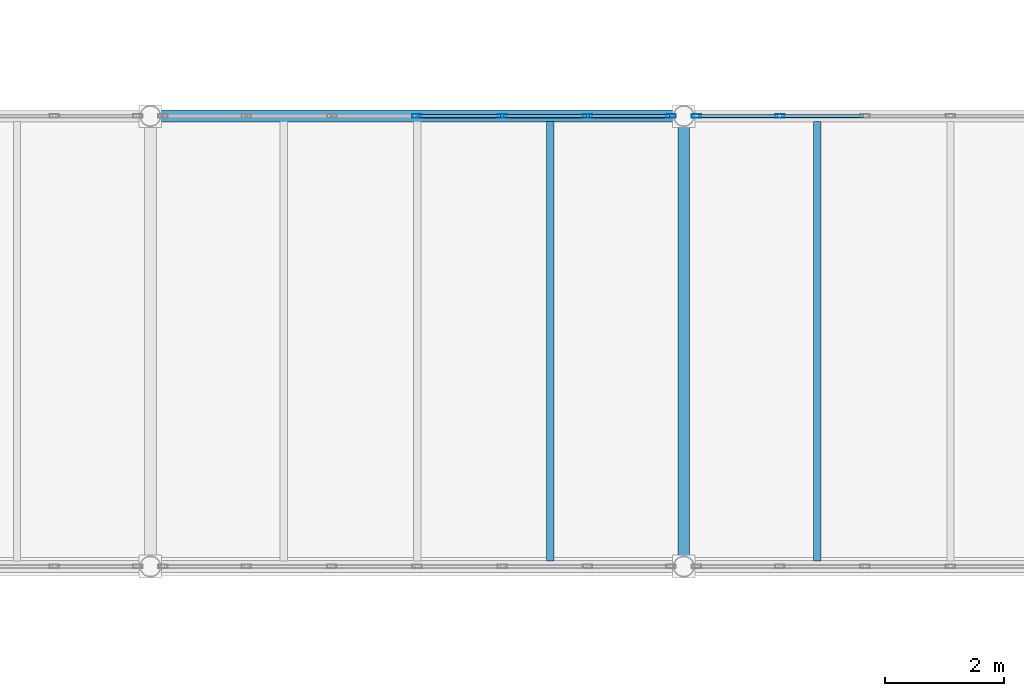
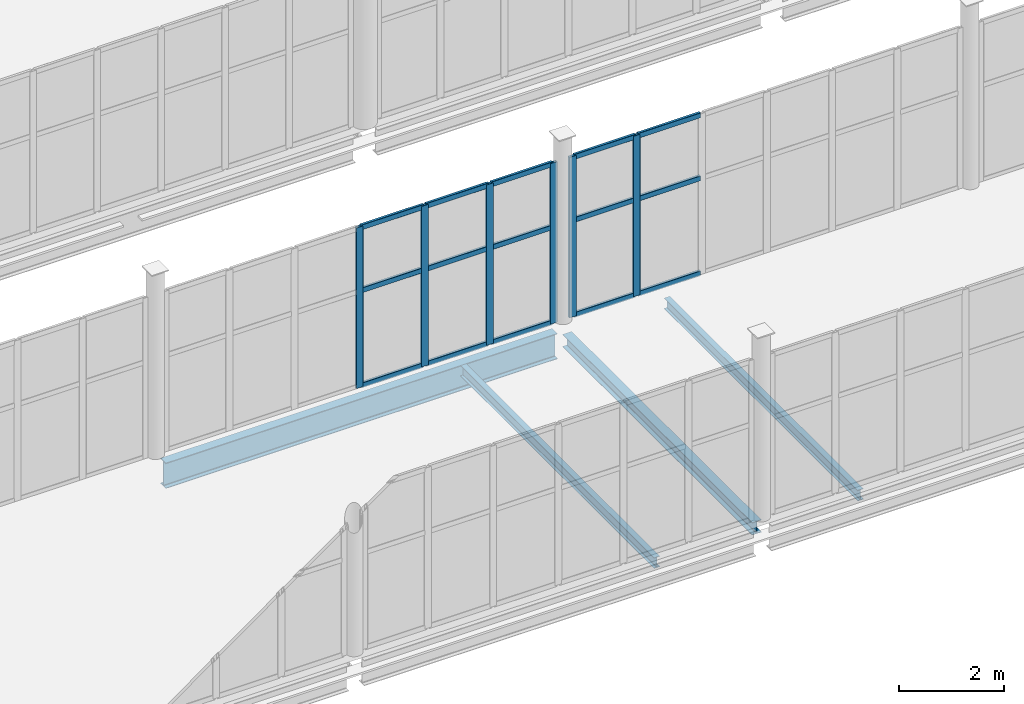
# One storey, part 104 of 172: 21 members, 4 beams, 2 elements without a shape of their own.
"""IFC4 building model written with IfcOpenShell, lengths in metres."""

from ifc_helpers import new_model, si_unit, direction, frame, origin, origin_2d, place, context, subcontext, project, spatial, hollow_rectangle, i_section, extrude, material, material_profile, profile_set, type_object, element, aggregate, save


model = new_model("IFC4")

# Units and contexts
model_context = context("Model", 3, precision=1e-05, world=origin(), true_north=direction((0.0, 1.0)))
body_context = subcontext(model_context, "Body", "Model", "MODEL_VIEW")
ifc_project = project(units=[si_unit("LENGTHUNIT", "METRE"), si_unit("AREAUNIT", "SQUARE_METRE"), si_unit("VOLUMEUNIT", "CUBIC_METRE"), si_unit("PLANEANGLEUNIT", "RADIAN"), si_unit("MASSUNIT", "GRAM", prefix="KILO")], contexts=[model_context])

# Site, building, storey
site_placement = place(None, origin())
site = spatial("IfcSite", under=ifc_project, at=site_placement, CompositionType="ELEMENT")
building_placement = place(site_placement, origin())
building = spatial("IfcBuilding", under=site, at=building_placement, Name="Shengluoqiao Park Theatre", CompositionType="ELEMENT")
storey_placement = place(building_placement, frame((0.0, 0.0, 5.39990234375)))
storey = spatial("IfcBuildingStorey", under=building, at=storey_placement, Name="L01", CompositionType="ELEMENT", Elevation=5.39990234375)

# Curtain wall, members
ifc_material_1 = material(Name="Aluminium 6063-T6", Category="aluminium")
curtain_wall_type = type_object("IfcCurtainWallType", Name="ENV-CW-BRIDGE", PredefinedType="NOTDEFINED", material=ifc_material_1)
curtain_wall_1_placement = place(storey_placement, origin())
curtain_wall_1 = element("IfcCurtainWall", 1, at=curtain_wall_1_placement, inside=storey, type_object=curtain_wall_type, Name="L01 Curtain Wall CWX-L01-0146", PredefinedType="NOTDEFINED")
ifc_material_profile_1 = material_profile(ifc_material_1, hollow_rectangle(XDim=0.06005859375, YDim=0.159912109375, WallThickness=0.00390625, InnerFilletRadius=0.00390625, OuterFilletRadius=0.008056640625, at=origin_2d()), Name="ALU MULLION 160x60x4")
ifc_profile_set_1 = profile_set([ifc_material_profile_1], Name="Aluminium 6063-T6")
member_type_1 = type_object("IfcMemberType", Name="ENV-MUL-160", PredefinedType="MULLION", material=ifc_profile_set_1)
member_1_placement = place(storey_placement, frame((134.89990234375, 60.800048828125, 0.0), z_axis=(0.0, 0.0, 1.0), x_axis=(0.0, 1.0, 0.0)))
member_1 = element("IfcMember", 2, at=member_1_placement, type_object=member_type_1, Name="CW-03 mullion 4", PredefinedType="MULLION", context=body_context, shape_type="SweptSolid", body=[
    extrude(hollow_rectangle(XDim=0.06005859375, YDim=0.159912109375, WallThickness=0.00390625, InnerFilletRadius=0.00390625, OuterFilletRadius=0.008056640625, at=origin_2d()), origin(), (0.0, 0.0, 1.0), 3.752197265625),
])
member_2_placement = place(storey_placement, frame((136.33935546875, 60.800048828125, 0.0), z_axis=(0.0, 0.0, 1.0), x_axis=(0.0, 1.0, 0.0)))
member_2 = element("IfcMember", 3, at=member_2_placement, type_object=member_type_1, Name="CW-03 mullion 5", PredefinedType="MULLION", context=body_context, shape_type="SweptSolid", body=[
    extrude(hollow_rectangle(XDim=0.06005859375, YDim=0.159912109375, WallThickness=0.00390625, InnerFilletRadius=0.00390625, OuterFilletRadius=0.008056640625, at=origin_2d()), origin(), (0.0, 0.0, 1.0), 3.752197265625),
])
member_3_placement = place(storey_placement, frame((137.778564453125, 60.800048828125, 0.0), z_axis=(0.0, 0.0, 1.0), x_axis=(0.0, 1.0, 0.0)))
member_3 = element("IfcMember", 4, at=member_3_placement, type_object=member_type_1, Name="CW-03 mullion 6", PredefinedType="MULLION", context=body_context, shape_type="SweptSolid", body=[
    extrude(hollow_rectangle(XDim=0.06005859375, YDim=0.159912109375, WallThickness=0.00390625, InnerFilletRadius=0.00390625, OuterFilletRadius=0.008056640625, at=origin_2d()), origin(), (0.0, 0.0, 1.0), 3.752197265625),
])
member_4_placement = place(storey_placement, frame((139.18798828125, 60.800048828125, 0.0), z_axis=(0.0, 0.0, 1.0), x_axis=(0.0, 1.0, 0.0)))
member_4 = element("IfcMember", 5, at=member_4_placement, type_object=member_type_1, Name="CW-03 mullion 7", PredefinedType="MULLION", context=body_context, shape_type="SweptSolid", body=[
    extrude(hollow_rectangle(XDim=0.06005859375, YDim=0.159912109375, WallThickness=0.00390625, InnerFilletRadius=0.00390625, OuterFilletRadius=0.008056640625, at=origin_2d()), origin(), (0.0, 0.0, 1.0), 3.752197265625),
])

curtain_wall_2_placement = place(storey_placement, origin())
curtain_wall_2 = element("IfcCurtainWall", 6, at=curtain_wall_2_placement, inside=storey, type_object=curtain_wall_type, Name="L01 Curtain Wall CWX-L01-0147", PredefinedType="NOTDEFINED")
member_5_placement = place(storey_placement, frame((139.612060546875, 60.800048828125, 0.0), z_axis=(0.0, 0.0, 1.0), x_axis=(0.0, 1.0, 0.0)))
member_5 = element("IfcMember", 7, at=member_5_placement, type_object=member_type_1, Name="CW-03 mullion 1", PredefinedType="MULLION", context=body_context, shape_type="SweptSolid", body=[
    extrude(hollow_rectangle(XDim=0.06005859375, YDim=0.159912109375, WallThickness=0.00390625, InnerFilletRadius=0.00390625, OuterFilletRadius=0.008056640625, at=origin_2d()), origin(), (0.0, 0.0, 1.0), 3.752197265625),
])
member_6_placement = place(storey_placement, frame((141.021240234375, 60.800048828125, 0.0), z_axis=(0.0, 0.0, 1.0), x_axis=(0.0, 1.0, 0.0)))
member_6 = element("IfcMember", 8, at=member_6_placement, type_object=member_type_1, Name="CW-03 mullion 2", PredefinedType="MULLION", context=body_context, shape_type="SweptSolid", body=[
    extrude(hollow_rectangle(XDim=0.06005859375, YDim=0.159912109375, WallThickness=0.00390625, InnerFilletRadius=0.00390625, OuterFilletRadius=0.008056640625, at=origin_2d()), origin(), (0.0, 0.0, 1.0), 3.752197265625),
])

# Member
ifc_material_profile_2 = material_profile(ifc_material_1, hollow_rectangle(XDim=0.06005859375, YDim=0.1201171875, WallThickness=0.00390625, InnerFilletRadius=0.00390625, OuterFilletRadius=0.008056640625, at=origin_2d()), Name="ALU TRANSOM 120x60x4")
ifc_profile_set_2 = profile_set([ifc_material_profile_2], Name="Aluminium 6063-T6")
member_type_2 = type_object("IfcMemberType", Name="ENV-TRN-120", PredefinedType="USERDEFINED", material=ifc_profile_set_2)
member_7_placement = place(storey_placement, frame((134.929931640625, 60.800048828125, 0.030029296875), z_axis=(1.0, 0.0, 0.0), x_axis=(0.0, 1.0, 0.0)))
member_7 = element("IfcMember", 9, at=member_7_placement, type_object=member_type_2, Name="CW-03 transom 4.1", ObjectType="TRANSOM", PredefinedType="USERDEFINED", context=body_context, shape_type="SweptSolid", body=[
    extrude(hollow_rectangle(XDim=0.06005859375, YDim=0.1201171875, WallThickness=0.00390625, InnerFilletRadius=0.00390625, OuterFilletRadius=0.008056640625, at=origin_2d()), origin(), (0.0, 0.0, 1.0), 1.37939453125),
])

member_8_placement = place(storey_placement, frame((134.929931640625, 60.800048828125, 2.2509765625), z_axis=(1.0, 0.0, 0.0), x_axis=(0.0, 1.0, 0.0)))
member_8 = element("IfcMember", 10, at=member_8_placement, type_object=member_type_2, Name="CW-03 transom 4.2", ObjectType="TRANSOM", PredefinedType="USERDEFINED", context=body_context, shape_type="SweptSolid", body=[
    extrude(hollow_rectangle(XDim=0.06005859375, YDim=0.1201171875, WallThickness=0.00390625, InnerFilletRadius=0.00390625, OuterFilletRadius=0.008056640625, at=origin_2d()), origin(), (0.0, 0.0, 1.0), 1.37939453125),
])

member_9_placement = place(storey_placement, frame((134.929931640625, 60.800048828125, 3.72216796875), z_axis=(1.0, 0.0, 0.0), x_axis=(0.0, 1.0, 0.0)))
member_9 = element("IfcMember", 11, at=member_9_placement, type_object=member_type_2, Name="CW-03 transom 4.3", ObjectType="TRANSOM", PredefinedType="USERDEFINED", context=body_context, shape_type="SweptSolid", body=[
    extrude(hollow_rectangle(XDim=0.06005859375, YDim=0.1201171875, WallThickness=0.00390625, InnerFilletRadius=0.00390625, OuterFilletRadius=0.008056640625, at=origin_2d()), origin(), (0.0, 0.0, 1.0), 1.37939453125),
])

member_10_placement = place(storey_placement, frame((136.369384765625, 60.800048828125, 0.030029296875), z_axis=(1.0, 0.0, 0.0), x_axis=(0.0, 1.0, 0.0)))
member_10 = element("IfcMember", 12, at=member_10_placement, type_object=member_type_2, Name="CW-03 transom 5.1", ObjectType="TRANSOM", PredefinedType="USERDEFINED", context=body_context, shape_type="SweptSolid", body=[
    extrude(hollow_rectangle(XDim=0.06005859375, YDim=0.1201171875, WallThickness=0.00390625, InnerFilletRadius=0.00390625, OuterFilletRadius=0.008056640625, at=origin_2d()), origin(), (0.0, 0.0, 1.0), 1.37939453125),
])

member_11_placement = place(storey_placement, frame((136.369384765625, 60.800048828125, 2.2509765625), z_axis=(1.0, 0.0, 0.0), x_axis=(0.0, 1.0, 0.0)))
member_11 = element("IfcMember", 13, at=member_11_placement, type_object=member_type_2, Name="CW-03 transom 5.2", ObjectType="TRANSOM", PredefinedType="USERDEFINED", context=body_context, shape_type="SweptSolid", body=[
    extrude(hollow_rectangle(XDim=0.06005859375, YDim=0.1201171875, WallThickness=0.00390625, InnerFilletRadius=0.00390625, OuterFilletRadius=0.008056640625, at=origin_2d()), origin(), (0.0, 0.0, 1.0), 1.37939453125),
])

member_12_placement = place(storey_placement, frame((136.369384765625, 60.800048828125, 3.72216796875), z_axis=(1.0, 0.0, 0.0), x_axis=(0.0, 1.0, 0.0)))
member_12 = element("IfcMember", 14, at=member_12_placement, type_object=member_type_2, Name="CW-03 transom 5.3", ObjectType="TRANSOM", PredefinedType="USERDEFINED", context=body_context, shape_type="SweptSolid", body=[
    extrude(hollow_rectangle(XDim=0.06005859375, YDim=0.1201171875, WallThickness=0.00390625, InnerFilletRadius=0.00390625, OuterFilletRadius=0.008056640625, at=origin_2d()), origin(), (0.0, 0.0, 1.0), 1.37939453125),
])

member_13_placement = place(storey_placement, frame((137.80859375, 60.800048828125, 0.030029296875), z_axis=(1.0, 0.0, 0.0), x_axis=(0.0, 1.0, 0.0)))
member_13 = element("IfcMember", 15, at=member_13_placement, type_object=member_type_2, Name="CW-03 transom 6.1", ObjectType="TRANSOM", PredefinedType="USERDEFINED", context=body_context, shape_type="SweptSolid", body=[
    extrude(hollow_rectangle(XDim=0.06005859375, YDim=0.1201171875, WallThickness=0.00390625, InnerFilletRadius=0.00390625, OuterFilletRadius=0.008056640625, at=origin_2d()), origin(), (0.0, 0.0, 1.0), 1.349365234375),
])

member_14_placement = place(storey_placement, frame((137.80859375, 60.800048828125, 2.2509765625), z_axis=(1.0, 0.0, 0.0), x_axis=(0.0, 1.0, 0.0)))
member_14 = element("IfcMember", 16, at=member_14_placement, type_object=member_type_2, Name="CW-03 transom 6.2", ObjectType="TRANSOM", PredefinedType="USERDEFINED", context=body_context, shape_type="SweptSolid", body=[
    extrude(hollow_rectangle(XDim=0.06005859375, YDim=0.1201171875, WallThickness=0.00390625, InnerFilletRadius=0.00390625, OuterFilletRadius=0.008056640625, at=origin_2d()), origin(), (0.0, 0.0, 1.0), 1.349365234375),
])

member_15_placement = place(storey_placement, frame((137.80859375, 60.800048828125, 3.72216796875), z_axis=(1.0, 0.0, 0.0), x_axis=(0.0, 1.0, 0.0)))
member_15 = element("IfcMember", 17, at=member_15_placement, type_object=member_type_2, Name="CW-03 transom 6.3", ObjectType="TRANSOM", PredefinedType="USERDEFINED", context=body_context, shape_type="SweptSolid", body=[
    extrude(hollow_rectangle(XDim=0.06005859375, YDim=0.1201171875, WallThickness=0.00390625, InnerFilletRadius=0.00390625, OuterFilletRadius=0.008056640625, at=origin_2d()), origin(), (0.0, 0.0, 1.0), 1.349365234375),
])

aggregate(curtain_wall_1, [member_1, member_2, member_3, member_4, member_7, member_8, member_9, member_10, member_11, member_12, member_13, member_14, member_15])

member_16_placement = place(storey_placement, frame((139.64208984375, 60.800048828125, 0.030029296875), z_axis=(1.0, 0.0, 0.0), x_axis=(0.0, 1.0, 0.0)))
member_16 = element("IfcMember", 18, at=member_16_placement, type_object=member_type_2, Name="CW-03 transom 1.1", ObjectType="TRANSOM", PredefinedType="USERDEFINED", context=body_context, shape_type="SweptSolid", body=[
    extrude(hollow_rectangle(XDim=0.06005859375, YDim=0.1201171875, WallThickness=0.00390625, InnerFilletRadius=0.00390625, OuterFilletRadius=0.008056640625, at=origin_2d()), origin(), (0.0, 0.0, 1.0), 1.349365234375),
])

member_17_placement = place(storey_placement, frame((139.64208984375, 60.800048828125, 2.2509765625), z_axis=(1.0, 0.0, 0.0), x_axis=(0.0, 1.0, 0.0)))
member_17 = element("IfcMember", 19, at=member_17_placement, type_object=member_type_2, Name="CW-03 transom 1.2", ObjectType="TRANSOM", PredefinedType="USERDEFINED", context=body_context, shape_type="SweptSolid", body=[
    extrude(hollow_rectangle(XDim=0.06005859375, YDim=0.1201171875, WallThickness=0.00390625, InnerFilletRadius=0.00390625, OuterFilletRadius=0.008056640625, at=origin_2d()), origin(), (0.0, 0.0, 1.0), 1.349365234375),
])

member_18_placement = place(storey_placement, frame((139.64208984375, 60.800048828125, 3.72216796875), z_axis=(1.0, 0.0, 0.0), x_axis=(0.0, 1.0, 0.0)))
member_18 = element("IfcMember", 20, at=member_18_placement, type_object=member_type_2, Name="CW-03 transom 1.3", ObjectType="TRANSOM", PredefinedType="USERDEFINED", context=body_context, shape_type="SweptSolid", body=[
    extrude(hollow_rectangle(XDim=0.06005859375, YDim=0.1201171875, WallThickness=0.00390625, InnerFilletRadius=0.00390625, OuterFilletRadius=0.008056640625, at=origin_2d()), origin(), (0.0, 0.0, 1.0), 1.349365234375),
])

member_19_placement = place(storey_placement, frame((141.05126953125, 60.800048828125, 0.030029296875), z_axis=(1.0, 0.0, 0.0), x_axis=(0.0, 1.0, 0.0)))
member_19 = element("IfcMember", 21, at=member_19_placement, type_object=member_type_2, Name="CW-03 transom 2.1", ObjectType="TRANSOM", PredefinedType="USERDEFINED", context=body_context, shape_type="SweptSolid", body=[
    extrude(hollow_rectangle(XDim=0.06005859375, YDim=0.1201171875, WallThickness=0.00390625, InnerFilletRadius=0.00390625, OuterFilletRadius=0.008056640625, at=origin_2d()), origin(), (0.0, 0.0, 1.0), 1.37939453125),
])

member_20_placement = place(storey_placement, frame((141.05126953125, 60.800048828125, 2.2509765625), z_axis=(1.0, 0.0, 0.0), x_axis=(0.0, 1.0, 0.0)))
member_20 = element("IfcMember", 22, at=member_20_placement, type_object=member_type_2, Name="CW-03 transom 2.2", ObjectType="TRANSOM", PredefinedType="USERDEFINED", context=body_context, shape_type="SweptSolid", body=[
    extrude(hollow_rectangle(XDim=0.06005859375, YDim=0.1201171875, WallThickness=0.00390625, InnerFilletRadius=0.00390625, OuterFilletRadius=0.008056640625, at=origin_2d()), origin(), (0.0, 0.0, 1.0), 1.37939453125),
])

member_21_placement = place(storey_placement, frame((141.05126953125, 60.800048828125, 3.72216796875), z_axis=(1.0, 0.0, 0.0), x_axis=(0.0, 1.0, 0.0)))
member_21 = element("IfcMember", 23, at=member_21_placement, type_object=member_type_2, Name="CW-03 transom 2.3", ObjectType="TRANSOM", PredefinedType="USERDEFINED", context=body_context, shape_type="SweptSolid", body=[
    extrude(hollow_rectangle(XDim=0.06005859375, YDim=0.1201171875, WallThickness=0.00390625, InnerFilletRadius=0.00390625, OuterFilletRadius=0.008056640625, at=origin_2d()), origin(), (0.0, 0.0, 1.0), 1.37939453125),
])

aggregate(curtain_wall_2, [member_5, member_6, member_16, member_17, member_18, member_19, member_20, member_21])

# Beams
ifc_material_2 = material(Name="Steel Q355", Category="steel")
ifc_material_profile_3 = material_profile(ifc_material_2, i_section(OverallWidth=0.199951171875, OverallDepth=0.2939453125, WebThickness=0.008056640625, FlangeThickness=0.011962890625, FilletRadius=0.01611328125, at=origin_2d()), Name="HM 294x200x8x12")
ifc_profile_set_3 = profile_set([ifc_material_profile_3], Name="Steel Q355")
beam_type_1 = type_object("IfcBeamType", Name="STR-BM-G-HM294", PredefinedType="BEAM", material=ifc_profile_set_3)
beam_1_placement = place(storey_placement, frame((139.39990234375, 53.3720703125, -0.35693359375), z_axis=(0.0, 1.0, 0.0), x_axis=(-1.0, 0.0, 0.0)))
element("IfcBeam", 24, at=beam_1_placement, inside=storey, type_object=beam_type_1, Name="L01 Transverse Girder 00597", PredefinedType="BEAM", context=body_context, shape_type="SweptSolid", body=[
    extrude(i_section(OverallWidth=0.199951171875, OverallDepth=0.2939453125, WebThickness=0.008056640625, FlangeThickness=0.011962890625, FilletRadius=0.01611328125, at=origin_2d()), origin(), (0.0, 0.0, 1.0), 7.255859375),
])
ifc_material_profile_4 = material_profile(ifc_material_2, i_section(OverallWidth=0.125, OverallDepth=0.25, WebThickness=0.006103515625, FlangeThickness=0.009033203125, FilletRadius=0.010009765625, at=origin_2d()), Name="HN 250x125x6x9")
ifc_profile_set_4 = profile_set([ifc_material_profile_4], Name="Steel Q355")
beam_type_2 = type_object("IfcBeamType", Name="STR-BM-J-HN250", PredefinedType="JOIST", material=ifc_profile_set_4)
for number, where, z_axis, x_axis, name in (
    (25, (137.14990234375, 53.29443359375, -0.3349609375), (0.0, 1.0, 0.0), (-1.0, 0.0, 0.0), "L01 Composite Joist 00630"),
    (26, (141.64990234375, 53.29443359375, -0.3349609375), (0.0, 1.0, 0.0), (-1.0, 0.0, 0.0), "L01 Composite Joist 00631"),
):
    element("IfcBeam", number, at=place(storey_placement, frame(where, z_axis=z_axis, x_axis=x_axis)), inside=storey, type_object=beam_type_2, Name=name, PredefinedType="JOIST", context=body_context, shape_type="SweptSolid", body=[
        extrude(i_section(OverallWidth=0.125, OverallDepth=0.25, WebThickness=0.006103515625, FlangeThickness=0.009033203125, FilletRadius=0.010009765625, at=origin_2d()), origin(), (0.0, 0.0, 1.0), 7.4111328125),
    ])
ifc_material_profile_5 = material_profile(ifc_material_2, i_section(OverallWidth=0.198974609375, OverallDepth=0.595947265625, WebThickness=0.010009765625, FlangeThickness=0.014892578125, FilletRadius=0.02001953125, at=origin_2d()), Name="HN 596x199x10x15")
ifc_profile_set_5 = profile_set([ifc_material_profile_5], Name="Steel Q355")
beam_type_3 = type_object("IfcBeamType", Name="STR-BM-SP-HN596", PredefinedType="SPANDREL", material=ifc_profile_set_5)
beam_2_placement = place(storey_placement, frame((130.572021484375, 60.800048828125, -0.5078125), z_axis=(1.0, 0.0, 0.0), x_axis=(0.0, 1.0, 0.0)))
element("IfcBeam", 27, at=beam_2_placement, inside=storey, type_object=beam_type_3, Name="L01 Primary Girder 00584", PredefinedType="SPANDREL", context=body_context, shape_type="SweptSolid", body=[
    extrude(i_section(OverallWidth=0.198974609375, OverallDepth=0.595947265625, WebThickness=0.010009765625, FlangeThickness=0.014892578125, FilletRadius=0.02001953125, at=origin_2d()), origin(), (0.0, 0.0, 1.0), 8.656005859375),
])

save(model, "model.ifc")
